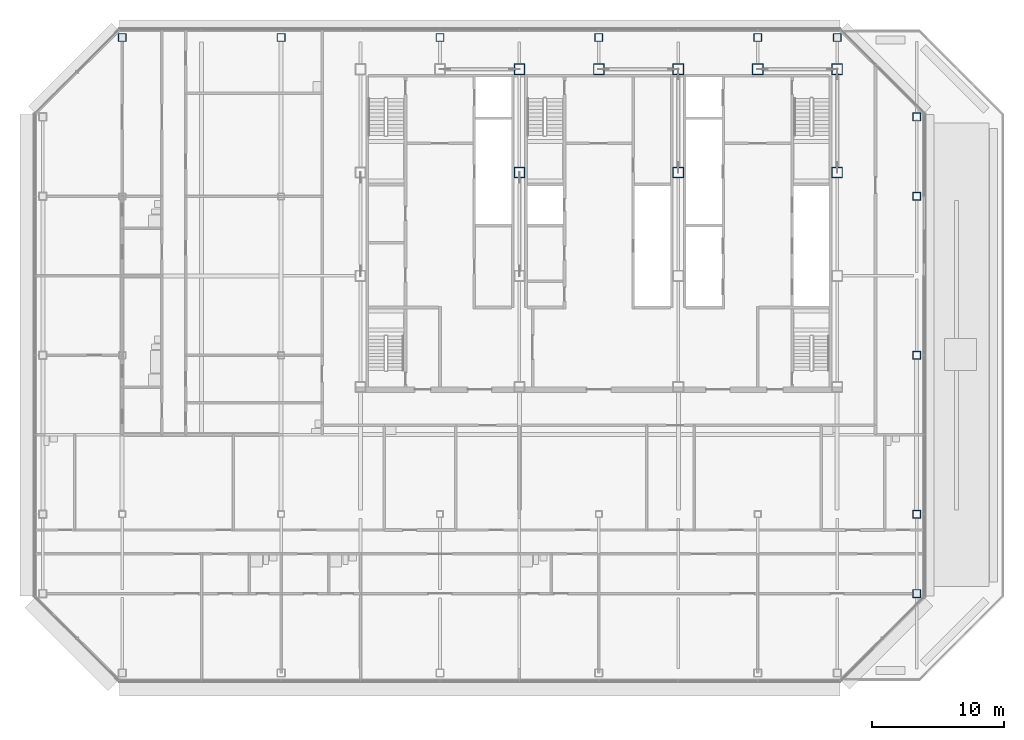
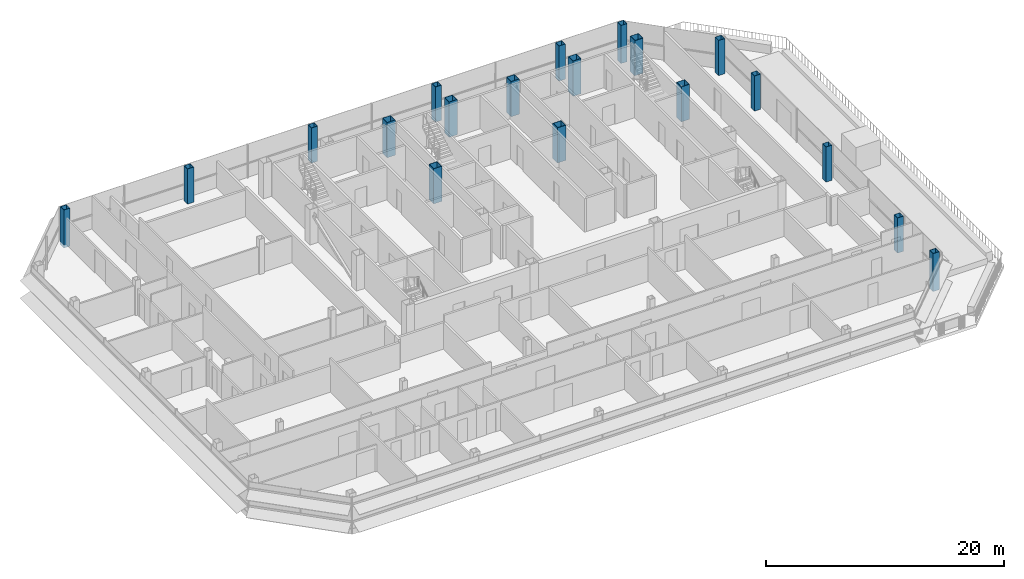
# One storey, part 2 of 28: 19 columns.
"""IFC4 building model written with IfcOpenShell, lengths in metres."""

from ifc_helpers import new_model, si_unit, direction, frame, origin, origin_2d, place, context, subcontext, project, spatial, hollow_rectangle, extrude, material, material_profile, profile_set, type_object, element, save


model = new_model("IFC4")

# Units and contexts
model_context = context("Model", 3, precision=1e-05, world=origin(), true_north=direction((0.0, 1.0)))
body_context = subcontext(model_context, "Body", "Model", "MODEL_VIEW")
ifc_project = project(units=[si_unit("LENGTHUNIT", "METRE"), si_unit("AREAUNIT", "SQUARE_METRE"), si_unit("VOLUMEUNIT", "CUBIC_METRE"), si_unit("PLANEANGLEUNIT", "RADIAN"), si_unit("MASSUNIT", "GRAM", prefix="KILO")], contexts=[model_context])

# Site, building, storey
site_placement = place(None, origin())
site = spatial("IfcSite", under=ifc_project, at=site_placement, CompositionType="ELEMENT")
building_placement = place(site_placement, origin())
building = spatial("IfcBuilding", under=site, at=building_placement, Name="Sorahane Residences", CompositionType="ELEMENT")
storey_placement = place(building_placement, frame((0.0, 0.0, 290.800048828125)))
storey = spatial("IfcBuildingStorey", under=building, at=storey_placement, Name="L68", CompositionType="ELEMENT", Elevation=290.800048828125)

# Columns
ifc_material_1 = material(Name="Steel Q355B", Category="steel")
ifc_material_profile_1 = material_profile(ifc_material_1, hollow_rectangle(XDim=0.60009765625, YDim=0.60009765625, WallThickness=0.028076171875, at=origin_2d()), Name="BOX 600x600x28")
ifc_profile_set_1 = profile_set([ifc_material_profile_1], Name="Steel Q355B")
column_type_1 = type_object("IfcColumnType", Name="Steel box column BOX 600x600x28 Q355B", PredefinedType="COLUMN", material=ifc_profile_set_1)
column_placement = place(storey_placement, frame((-12.0, 48.0, -0.300048828125), z_axis=(0.0, 0.0, 1.0), x_axis=(1.0, 0.0, 0.0)))
element("IfcColumn", 1, at=column_placement, inside=storey, type_object=column_type_1, Name="Column L68 m12/48", PredefinedType="COLUMN", context=body_context, shape_type="SweptSolid", body=[
    extrude(hollow_rectangle(XDim=0.60009765625, YDim=0.60009765625, WallThickness=0.028076171875, at=origin_2d()), origin(), (0.0, 0.0, 1.0), 3.89990234375),
])
for number, where, z_axis, x_axis, name in (
    (2, (0.0, 48.0, 0.0), (0.0, 0.0, 1.0), (1.0, 0.0, 0.0), "Column L68 0/48"),
    (3, (12.0, 48.0, 0.0), (0.0, 0.0, 1.0), (1.0, 0.0, 0.0), "Column L68 12/48"),
    (4, (24.0, 48.0, 0.0), (0.0, 0.0, 1.0), (1.0, 0.0, 0.0), "Column L68 24/48"),
    (5, (36.0, 48.0, 0.0), (0.0, 0.0, 1.0), (1.0, 0.0, 0.0), "Column L68 36/48"),
):
    element("IfcColumn", number, at=place(storey_placement, frame(where, z_axis=z_axis, x_axis=x_axis)), inside=storey, type_object=column_type_1, Name=name, PredefinedType="COLUMN", context=body_context, shape_type="SweptSolid", body=[
        extrude(hollow_rectangle(XDim=0.60009765625, YDim=0.60009765625, WallThickness=0.028076171875, at=origin_2d()), origin(), (0.0, 0.0, 1.0), 3.599853515625),
    ])
for number, where, z_axis, x_axis, name in (
    (6, (42.0, 48.0, -0.300048828125), (0.0, 0.0, 1.0), (1.0, 0.0, 0.0), "Column L68 42/48"),
    (7, (48.0, 6.0, -0.300048828125), (0.0, 0.0, 1.0), (1.0, 0.0, 0.0), "Column L68 48/6"),
):
    element("IfcColumn", number, at=place(storey_placement, frame(where, z_axis=z_axis, x_axis=x_axis)), inside=storey, type_object=column_type_1, Name=name, PredefinedType="COLUMN", context=body_context, shape_type="SweptSolid", body=[
        extrude(hollow_rectangle(XDim=0.60009765625, YDim=0.60009765625, WallThickness=0.028076171875, at=origin_2d()), origin(), (0.0, 0.0, 1.0), 3.89990234375),
    ])
for number, where, z_axis, x_axis, name in (
    (8, (48.0, 12.0, 0.0), (0.0, 0.0, 1.0), (1.0, 0.0, 0.0), "Column L68 48/12"),
    (9, (48.0, 24.0, 0.0), (0.0, 0.0, 1.0), (1.0, 0.0, 0.0), "Column L68 48/24"),
    (10, (48.0, 36.0, 0.0), (0.0, 0.0, 1.0), (1.0, 0.0, 0.0), "Column L68 48/36"),
    (11, (48.0, 42.0, 0.0), (0.0, 0.0, 1.0), (1.0, 0.0, 0.0), "Column L68 48/42"),
):
    element("IfcColumn", number, at=place(storey_placement, frame(where, z_axis=z_axis, x_axis=x_axis)), inside=storey, type_object=column_type_1, Name=name, PredefinedType="COLUMN", context=body_context, shape_type="SweptSolid", body=[
        extrude(hollow_rectangle(XDim=0.60009765625, YDim=0.60009765625, WallThickness=0.028076171875, at=origin_2d()), origin(), (0.0, 0.0, 1.0), 3.599853515625),
    ])
ifc_material_2 = material(Name="Steel Q355B", Category="steel")
ifc_material_profile_2 = material_profile(ifc_material_2, hollow_rectangle(XDim=0.800048828125, YDim=0.800048828125, WallThickness=0.031982421875, at=origin_2d()), Name="BOX 800x800x32")
ifc_profile_set_2 = profile_set([ifc_material_profile_2], Name="Steel Q355B")
column_type_2 = type_object("IfcColumnType", Name="Steel box column BOX 800x800x32 Q355B", PredefinedType="COLUMN", material=ifc_profile_set_2)
for number, where, z_axis, x_axis, name in (
    (12, (18.0, 37.800048828125, 0.0), (0.0, 0.0, 1.0), (1.0, 0.0, 0.0), "Column L68 18/37.8"),
    (13, (18.0, 45.60009765625, 0.0), (0.0, 0.0, 1.0), (1.0, 0.0, 0.0), "Column L68 18/45.6"),
    (14, (24.0, 45.60009765625, 0.0), (0.0, 0.0, 1.0), (1.0, 0.0, 0.0), "Column L68 24/45.6"),
    (15, (30.0, 37.800048828125, 0.0), (0.0, 0.0, 1.0), (1.0, 0.0, 0.0), "Column L68 30/37.8"),
    (16, (30.0, 45.60009765625, 0.0), (0.0, 0.0, 1.0), (1.0, 0.0, 0.0), "Column L68 30/45.6"),
    (17, (36.0, 45.60009765625, 0.0), (0.0, 0.0, 1.0), (1.0, 0.0, 0.0), "Column L68 36/45.6"),
    (18, (42.0, 37.800048828125, 0.0), (0.0, 0.0, 1.0), (1.0, 0.0, 0.0), "Column L68 42/37.8"),
    (19, (42.0, 45.60009765625, 0.0), (0.0, 0.0, 1.0), (1.0, 0.0, 0.0), "Column L68 42/45.6"),
):
    element("IfcColumn", number, at=place(storey_placement, frame(where, z_axis=z_axis, x_axis=x_axis)), inside=storey, type_object=column_type_2, Name=name, PredefinedType="COLUMN", context=body_context, shape_type="SweptSolid", body=[
        extrude(hollow_rectangle(XDim=0.800048828125, YDim=0.800048828125, WallThickness=0.031982421875, at=origin_2d()), origin(), (0.0, 0.0, 1.0), 3.599853515625),
    ])

save(model, "model.ifc")
